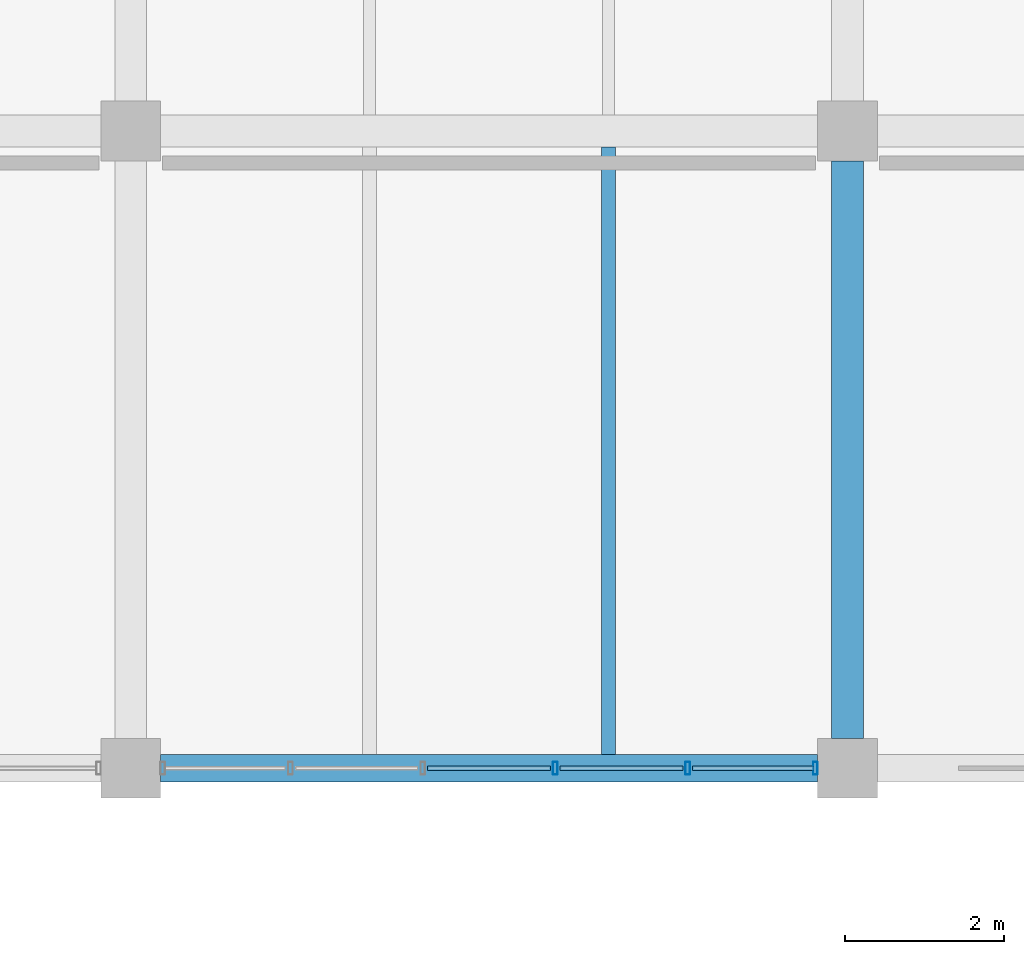
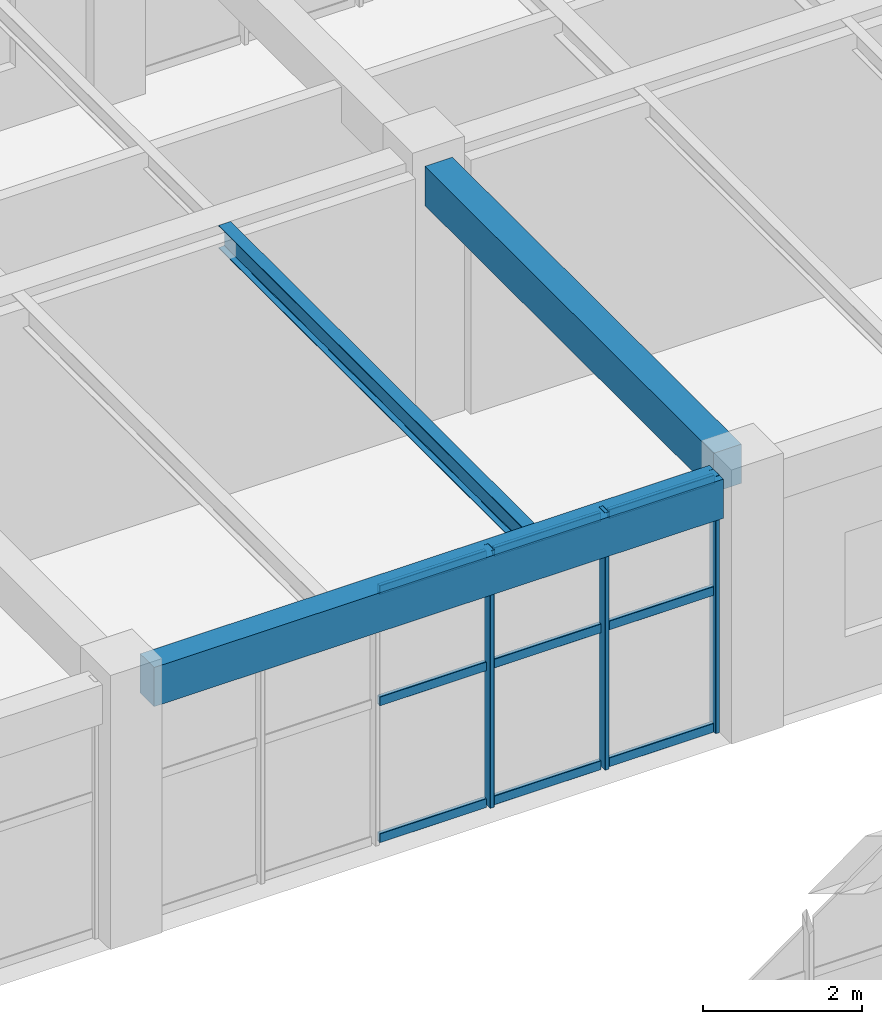
# One storey, part 71 of 148: 12 members, 3 beams, 1 element without a shape of its own.
"""IFC4 building model written with IfcOpenShell, lengths in metres."""

import ifcopenshell
import ifcopenshell.guid

model = None  # the IFC model being written
_history = None  # IfcOwnerHistory: only IFC2X3 demands one
_inside = {}  # id of a spatial element -> (the spatial element, [elements in it])
_under = {}  # id of a project, library or spatial element -> (it, [spatial elements below it])
_declared = {}  # id of a project -> (the project, [libraries it declares])
_typed = {}  # id of a type object -> (the type object, [elements of that type])
_made_of = {}  # id of a material, layer set ... -> (it, [elements and type objects made of it])


def new_model(schema):
    """Start an empty IFC model of exactly this schema.

    Asked for "IFC4X3", IfcOpenShell would pick the latest addendum, in which some entities
    have other attributes; the version numbers below select the first issue.
    IFC2X3 requires an IfcOwnerHistory on every rooted entity: one is made here for all.
    """
    global model, _history
    if schema == "IFC4X3":
        model = ifcopenshell.file(schema_version=(4, 3, 0, 0))
    else:
        model = ifcopenshell.file(schema=schema)
    _inside.clear()
    _under.clear()
    _declared.clear()
    _typed.clear()
    _made_of.clear()
    _history = None
    if model.schema == "IFC2X3":
        org = make("IfcOrganization", Name="unknown")
        user = make(
            "IfcPersonAndOrganization",
            ThePerson=make("IfcPerson", FamilyName="unknown"),
            TheOrganization=org,
        )
        app = make(
            "IfcApplication",
            ApplicationDeveloper=org,
            Version="unknown",
            ApplicationFullName="unknown",
            ApplicationIdentifier="unknown",
        )
        _history = make(
            "IfcOwnerHistory",
            OwningUser=user,
            OwningApplication=app,
            ChangeAction="ADDED",
            CreationDate=0,
        )
    return model


def make(cls, **values):
    """One entity of the class cls with the attributes given. An attribute that is None is left unset."""
    return model.create_entity(
        cls, **{name: value for name, value in values.items() if value is not None}
    )


def rooted(cls, **values):
    """An entity with a GlobalId (a new one), such as an element, a storey or a relation."""
    return make(cls, GlobalId=ifcopenshell.guid.new(), OwnerHistory=_history, **values)


def si_unit(unit_type, name, prefix=None):
    """IfcSIUnit, for example si_unit("LENGTHUNIT", "METRE", prefix="MILLI")."""
    return make("IfcSIUnit", UnitType=unit_type, Prefix=prefix, Name=name)


def derived_unit(unit_type, elements):
    """IfcDerivedUnit: a product of units, each with its exponent."""
    return make(
        "IfcDerivedUnit",
        Elements=[
            make("IfcDerivedUnitElement", Unit=unit, Exponent=power)
            for unit, power in elements
        ],
        UnitType=unit_type,
    )


def assignment(units):
    """IfcUnitAssignment: the units of a project."""
    return None if units is None else make("IfcUnitAssignment", Units=units)


def point(xyz):
    """IfcCartesianPoint."""
    return None if xyz is None else make("IfcCartesianPoint", Coordinates=xyz)


def direction(xyz):
    """IfcDirection."""
    return None if xyz is None else make("IfcDirection", DirectionRatios=xyz)


def frame(location, z_axis=None, x_axis=None):
    """IfcAxis2Placement3D, a coordinate frame: its origin and axes. An axis left out is left unset."""
    return make(
        "IfcAxis2Placement3D",
        Location=point(location),
        Axis=direction(z_axis),
        RefDirection=direction(x_axis),
    )


def frame_2d(location, x_axis=None):
    """IfcAxis2Placement2D, a coordinate frame in the plane: its origin and x axis."""
    return make(
        "IfcAxis2Placement2D", Location=point(location), RefDirection=direction(x_axis)
    )


def origin():
    """The frame at (0, 0, 0) with its axes left unset."""
    return frame((0.0, 0.0, 0.0))


def origin_2d():
    """The frame at (0, 0) in the plane with its x axis left unset."""
    return frame_2d((0.0, 0.0))


def place(relative_to, where):
    """IfcLocalPlacement: puts the frame where relative to a parent placement (None: the world)."""
    return make(
        "IfcLocalPlacement", PlacementRelTo=relative_to, RelativePlacement=where
    )


def context(
    kind, dimensions, precision=None, world=None, true_north=None, identifier=None
):
    """IfcGeometricRepresentationContext, for example the 3D "Model" context."""
    return make(
        "IfcGeometricRepresentationContext",
        ContextIdentifier=identifier,
        ContextType=kind,
        CoordinateSpaceDimension=dimensions,
        Precision=precision,
        WorldCoordinateSystem=world,
        TrueNorth=true_north,
    )


def subcontext(parent, identifier, kind, view, scale=None):
    """IfcGeometricRepresentationSubContext, for example "Body" below "Model"."""
    return make(
        "IfcGeometricRepresentationSubContext",
        ContextIdentifier=identifier,
        ContextType=kind,
        ParentContext=parent,
        TargetScale=scale,
        TargetView=view,
    )


def project(units=None, contexts=None):
    """IfcProject with its units and contexts."""
    return rooted(
        "IfcProject",
        Name="project",
        RepresentationContexts=contexts,
        UnitsInContext=assignment(units),
    )


def spatial(cls, under=None, at=None, **own):
    """A site, building, storey or space (cls), placed at a placement, below another one or the project."""
    s = rooted(cls, ObjectPlacement=at, **own)
    if under is not None:
        _under.setdefault(under.id(), (under, []))[1].append(s)
    return s


def profile(cls, at=None, kind="AREA", **sizes):
    """A parametric profile (cls). Its sizes go by their IFC names, for example OverallWidth=200.0."""
    return make(cls, ProfileType=kind, Position=at, **sizes)


def rectangle(**sizes):
    """IfcRectangleProfileDef."""
    return profile("IfcRectangleProfileDef", **sizes)


def hollow_rectangle(**sizes):
    """IfcRectangleHollowProfileDef."""
    return profile("IfcRectangleHollowProfileDef", **sizes)


def i_section(**sizes):
    """IfcIShapeProfileDef."""
    return profile("IfcIShapeProfileDef", **sizes)


def extrude(swept, where, along, depth):
    """IfcExtrudedAreaSolid: the profile swept, set in the frame where, extruded along a direction by depth."""
    return make(
        "IfcExtrudedAreaSolid",
        SweptArea=swept,
        Position=where,
        ExtrudedDirection=direction(along),
        Depth=depth,
    )


def shape(context_of_items, identifier, shape_type, items):
    """IfcShapeRepresentation: the items that make up one representation, for example the "Body"."""
    return make(
        "IfcShapeRepresentation",
        ContextOfItems=context_of_items,
        RepresentationIdentifier=identifier,
        RepresentationType=shape_type,
        Items=items,
    )


def material(Name=None, Category=None):
    """IfcMaterial."""
    return make("IfcMaterial", Name=Name, Category=Category)


def material_profile(
    of_material, cross_section, Name=None, Category=None, Priority=None
):
    """IfcMaterialProfile: a cross section and its material."""
    return make(
        "IfcMaterialProfile",
        Name=Name,
        Material=of_material,
        Profile=cross_section,
        Priority=Priority,
        Category=Category,
    )


def profile_set(profiles, Name=None, composite=None):
    """IfcMaterialProfileSet."""
    return make(
        "IfcMaterialProfileSet",
        Name=Name,
        MaterialProfiles=profiles,
        CompositeProfile=composite,
    )


def made_of(thing, what):
    """Note that an element or type object is made of a material, layer set ...; save() writes the relation."""
    if what is not None:
        _made_of.setdefault(what.id(), (what, []))[1].append(thing)
    return thing


def type_object(cls, material=None, **own):
    """A type object (cls), such as IfcWallType, which elements share."""
    return made_of(rooted(cls, **own), material)


def element(
    cls,
    number,
    at=None,
    inside=None,
    cuts=None,
    type_object=None,
    material=None,
    context=None,
    identifier="Body",
    shape_type=None,
    held_by="IfcProductDefinitionShape",
    body=None,
    shapes=None,
    **own,
):
    """One element of the class cls, such as IfcWall. Its Tag is "e" and its number.

    at: its placement. inside: the storey or other place that contains it. cuts: it is an
    opening in that element (IfcRelVoidsElement). A single representation is given by context,
    identifier, shape_type and body (its items); several are given by shapes. held_by: the class
    of the entity that holds the representations. save() writes the other relations.
    """
    e = rooted(cls, Tag="e%d" % number, ObjectPlacement=at, **own)
    if body is not None:
        shapes = [shape(context, identifier, shape_type, body)]
    if shapes is not None:
        e.Representation = make(held_by, Representations=shapes)
    if inside is not None:
        _inside.setdefault(inside.id(), (inside, []))[1].append(e)
    if cuts is not None:
        rooted(
            "IfcRelVoidsElement", RelatingBuildingElement=cuts, RelatedOpeningElement=e
        )
    if type_object is not None:
        _typed.setdefault(type_object.id(), (type_object, []))[1].append(e)
    return made_of(e, material)


def aggregate(whole, parts):
    """IfcRelAggregates: a whole, such as a stair, and the parts it consists of."""
    return rooted("IfcRelAggregates", RelatingObject=whole, RelatedObjects=parts)


def save(model, path):
    """Write the relations noted so far, then the file.

    IfcRelAggregates (storeys below a building ...), IfcRelContainedInSpatialStructure (elements
    in a storey), IfcRelDefinesByType, IfcRelAssociatesMaterial and IfcRelDeclares: one each for
    every whole, place, type object, material and project.
    """
    for whole, parts in _under.values():
        aggregate(whole, parts)
    for where, things in _inside.values():
        rooted(
            "IfcRelContainedInSpatialStructure",
            RelatedElements=things,
            RelatingStructure=where,
        )
    for kind, things in _typed.values():
        rooted("IfcRelDefinesByType", RelatedObjects=things, RelatingType=kind)
    for what, things in _made_of.values():
        rooted("IfcRelAssociatesMaterial", RelatedObjects=things, RelatingMaterial=what)
    for by, libraries in _declared.values():
        rooted("IfcRelDeclares", RelatingContext=by, RelatedDefinitions=libraries)
    model.write(path)


model = new_model("IFC4")

# Units and contexts
model_context = context("Model", 3, precision=1e-05, world=origin(), true_north=direction((0.0, 1.0)))
body_context = subcontext(model_context, "Body", "Model", "MODEL_VIEW")
ifc_project = project(units=[si_unit("LENGTHUNIT", "METRE"), si_unit("AREAUNIT", "SQUARE_METRE"), si_unit("VOLUMEUNIT", "CUBIC_METRE"), si_unit("PLANEANGLEUNIT", "RADIAN"), si_unit("MASSUNIT", "GRAM", prefix="KILO"), derived_unit("THERMALTRANSMITTANCEUNIT", [(si_unit("MASSUNIT", "GRAM", prefix="KILO"), 1), (si_unit("TIMEUNIT", "SECOND"), -3), (si_unit("THERMODYNAMICTEMPERATUREUNIT", "KELVIN"), -1)])], contexts=[model_context])

# Site, building, storey
site_placement = place(None, origin())
site = spatial("IfcSite", under=ifc_project, at=site_placement, CompositionType="ELEMENT")
building_placement = place(site_placement, origin())
building = spatial("IfcBuilding", under=site, at=building_placement, Name="Zhenchuan Archway Interchange", CompositionType="ELEMENT")
storey_placement = place(building_placement, frame((0.0, 0.0, 10.199951171875)))
storey = spatial("IfcBuildingStorey", under=building, at=storey_placement, Name="L02", CompositionType="ELEMENT", Elevation=10.199951171875)

# Beam
ifc_material_1 = material(Name="Concrete C40", Category="concrete")
ifc_material_profile_1 = material_profile(ifc_material_1, rectangle(XDim=0.39990234375, YDim=0.60009765625, at=origin_2d()), Name="RC 400x600")
ifc_profile_set_1 = profile_set([ifc_material_profile_1], Name="Concrete C40")
beam_type_1 = type_object("IfcBeamType", Name="BM_RC_400x600", PredefinedType="BEAM", material=ifc_profile_set_1)
beam_1_placement = place(storey_placement, frame((45.0, 96.375, 3.64013671875), z_axis=(0.0, 1.0, 0.0), x_axis=(-1.0, 0.0, 0.0)))
element("IfcBeam", 1, at=beam_1_placement, inside=storey, type_object=beam_type_1, Name="Beam 6:N-O (L02)", PredefinedType="BEAM", context=body_context, shape_type="SweptSolid", body=[
    extrude(rectangle(XDim=0.39990234375, YDim=0.60009765625, at=origin_2d()), origin(), (0.0, 0.0, 1.0), 7.25),
])

# Curtain wall, members
ifc_material_2 = material(Name="Anodised Aluminium", Category="aluminium")
curtain_wall_type = type_object("IfcCurtainWallType", Name="CW_UNIT_3", PredefinedType="NOTDEFINED", material=ifc_material_2)
curtain_wall_placement = place(storey_placement, origin())
curtain_wall = element("IfcCurtainWall", 2, at=curtain_wall_placement, inside=storey, type_object=curtain_wall_type, Name="Unitised curtain wall CW:L02:134", PredefinedType="NOTDEFINED")
ifc_material_profile_2 = material_profile(ifc_material_2, hollow_rectangle(XDim=0.06005859375, YDim=0.159912109375, WallThickness=0.00390625, InnerFilletRadius=0.00390625, OuterFilletRadius=0.008056640625, at=origin_2d()), Name="ALU 160x60x4")
ifc_profile_set_2 = profile_set([ifc_material_profile_2], Name="Anodised Aluminium")
member_type_1 = type_object("IfcMemberType", Name="CW_MUL_150", PredefinedType="MULLION", material=ifc_profile_set_2)
member_1_placement = place(storey_placement, frame((44.596923828125, 96.0, 0.0), z_axis=(0.0, 0.0, 1.0), x_axis=(1.0, 0.0, 0.0)))
member_1 = element("IfcMember", 3, at=member_1_placement, type_object=member_type_1, Name="CW:L02:134 mullion 0", PredefinedType="MULLION", context=body_context, shape_type="SweptSolid", body=[
    extrude(hollow_rectangle(XDim=0.06005859375, YDim=0.159912109375, WallThickness=0.00390625, InnerFilletRadius=0.00390625, OuterFilletRadius=0.008056640625, at=origin_2d()), origin(), (0.0, 0.0, 1.0), 3.93994140625),
])
member_2_placement = place(storey_placement, frame((42.994140625, 96.0, 0.0), z_axis=(0.0, 0.0, 1.0), x_axis=(1.0, 0.0, 0.0)))
member_2 = element("IfcMember", 4, at=member_2_placement, type_object=member_type_1, Name="CW:L02:134 mullion 1", PredefinedType="MULLION", context=body_context, shape_type="SweptSolid", body=[
    extrude(hollow_rectangle(XDim=0.06005859375, YDim=0.159912109375, WallThickness=0.00390625, InnerFilletRadius=0.00390625, OuterFilletRadius=0.008056640625, at=origin_2d()), origin(), (0.0, 0.0, 1.0), 3.93994140625),
])
member_3_placement = place(storey_placement, frame((41.331298828125, 96.0, 0.0), z_axis=(0.0, 0.0, 1.0), x_axis=(1.0, 0.0, 0.0)))
member_3 = element("IfcMember", 5, at=member_3_placement, type_object=member_type_1, Name="CW:L02:134 mullion 2", PredefinedType="MULLION", context=body_context, shape_type="SweptSolid", body=[
    extrude(hollow_rectangle(XDim=0.06005859375, YDim=0.159912109375, WallThickness=0.00390625, InnerFilletRadius=0.00390625, OuterFilletRadius=0.008056640625, at=origin_2d()), origin(), (0.0, 0.0, 1.0), 3.93994140625),
])
ifc_material_profile_3 = material_profile(ifc_material_2, hollow_rectangle(XDim=0.06005859375, YDim=0.139892578125, WallThickness=0.00341796875, InnerFilletRadius=0.00341796875, OuterFilletRadius=0.007080078125, at=origin_2d()), Name="ALU 140x60x3.5")
ifc_profile_set_3 = profile_set([ifc_material_profile_3], Name="Anodised Aluminium")
member_type_2 = type_object("IfcMemberType", Name="CW_TRN_140", PredefinedType="USERDEFINED", material=ifc_profile_set_3)
member_4_placement = place(storey_placement, frame((44.576904296875, 96.0, 0.06005859375), z_axis=(-1.0, 0.0, 0.0), x_axis=(0.0, -1.0, 0.0)))
member_4 = element("IfcMember", 6, at=member_4_placement, type_object=member_type_2, Name="CW:L02:134 transom 0-1", ObjectType="TRANSOM", PredefinedType="USERDEFINED", context=body_context, shape_type="SweptSolid", body=[
    extrude(hollow_rectangle(XDim=0.06005859375, YDim=0.139892578125, WallThickness=0.00341796875, InnerFilletRadius=0.00341796875, OuterFilletRadius=0.007080078125, at=origin_2d()), origin(), (0.0, 0.0, 1.0), 1.522705078125),
])
member_5_placement = place(storey_placement, frame((44.576904296875, 96.0, 2.156005859375), z_axis=(-1.0, 0.0, 0.0), x_axis=(0.0, -1.0, 0.0)))
member_5 = element("IfcMember", 7, at=member_5_placement, type_object=member_type_2, Name="CW:L02:134 transom 0-2", ObjectType="TRANSOM", PredefinedType="USERDEFINED", context=body_context, shape_type="SweptSolid", body=[
    extrude(hollow_rectangle(XDim=0.06005859375, YDim=0.139892578125, WallThickness=0.00341796875, InnerFilletRadius=0.00341796875, OuterFilletRadius=0.007080078125, at=origin_2d()), origin(), (0.0, 0.0, 1.0), 1.522705078125),
])
member_6_placement = place(storey_placement, frame((44.576904296875, 96.0, 3.860107421875), z_axis=(-1.0, 0.0, 0.0), x_axis=(0.0, -1.0, 0.0)))
member_6 = element("IfcMember", 8, at=member_6_placement, type_object=member_type_2, Name="CW:L02:134 transom 0-3", ObjectType="TRANSOM", PredefinedType="USERDEFINED", context=body_context, shape_type="SweptSolid", body=[
    extrude(hollow_rectangle(XDim=0.06005859375, YDim=0.139892578125, WallThickness=0.00341796875, InnerFilletRadius=0.00341796875, OuterFilletRadius=0.007080078125, at=origin_2d()), origin(), (0.0, 0.0, 1.0), 1.522705078125),
])
member_7_placement = place(storey_placement, frame((42.93408203125, 96.0, 0.06005859375), z_axis=(-1.0, 0.0, 0.0), x_axis=(0.0, -1.0, 0.0)))
member_7 = element("IfcMember", 9, at=member_7_placement, type_object=member_type_2, Name="CW:L02:134 transom 1-1", ObjectType="TRANSOM", PredefinedType="USERDEFINED", context=body_context, shape_type="SweptSolid", body=[
    extrude(hollow_rectangle(XDim=0.06005859375, YDim=0.139892578125, WallThickness=0.00341796875, InnerFilletRadius=0.00341796875, OuterFilletRadius=0.007080078125, at=origin_2d()), origin(), (0.0, 0.0, 1.0), 1.542724609375),
])
member_8_placement = place(storey_placement, frame((42.93408203125, 96.0, 2.156005859375), z_axis=(-1.0, 0.0, 0.0), x_axis=(0.0, -1.0, 0.0)))
member_8 = element("IfcMember", 10, at=member_8_placement, type_object=member_type_2, Name="CW:L02:134 transom 1-2", ObjectType="TRANSOM", PredefinedType="USERDEFINED", context=body_context, shape_type="SweptSolid", body=[
    extrude(hollow_rectangle(XDim=0.06005859375, YDim=0.139892578125, WallThickness=0.00341796875, InnerFilletRadius=0.00341796875, OuterFilletRadius=0.007080078125, at=origin_2d()), origin(), (0.0, 0.0, 1.0), 1.542724609375),
])
member_9_placement = place(storey_placement, frame((42.93408203125, 96.0, 3.860107421875), z_axis=(-1.0, 0.0, 0.0), x_axis=(0.0, -1.0, 0.0)))
member_9 = element("IfcMember", 11, at=member_9_placement, type_object=member_type_2, Name="CW:L02:134 transom 1-3", ObjectType="TRANSOM", PredefinedType="USERDEFINED", context=body_context, shape_type="SweptSolid", body=[
    extrude(hollow_rectangle(XDim=0.06005859375, YDim=0.139892578125, WallThickness=0.00341796875, InnerFilletRadius=0.00341796875, OuterFilletRadius=0.007080078125, at=origin_2d()), origin(), (0.0, 0.0, 1.0), 1.542724609375),
])
member_10_placement = place(storey_placement, frame((41.271484375, 96.0, 0.06005859375), z_axis=(-1.0, 0.0, 0.0), x_axis=(0.0, -1.0, 0.0)))
member_10 = element("IfcMember", 12, at=member_10_placement, type_object=member_type_2, Name="CW:L02:134 transom 2-1", ObjectType="TRANSOM", PredefinedType="USERDEFINED", context=body_context, shape_type="SweptSolid", body=[
    extrude(hollow_rectangle(XDim=0.06005859375, YDim=0.139892578125, WallThickness=0.00341796875, InnerFilletRadius=0.00341796875, OuterFilletRadius=0.007080078125, at=origin_2d()), origin(), (0.0, 0.0, 1.0), 1.54296875),
])
member_11_placement = place(storey_placement, frame((41.271484375, 96.0, 2.156005859375), z_axis=(-1.0, 0.0, 0.0), x_axis=(0.0, -1.0, 0.0)))
member_11 = element("IfcMember", 13, at=member_11_placement, type_object=member_type_2, Name="CW:L02:134 transom 2-2", ObjectType="TRANSOM", PredefinedType="USERDEFINED", context=body_context, shape_type="SweptSolid", body=[
    extrude(hollow_rectangle(XDim=0.06005859375, YDim=0.139892578125, WallThickness=0.00341796875, InnerFilletRadius=0.00341796875, OuterFilletRadius=0.007080078125, at=origin_2d()), origin(), (0.0, 0.0, 1.0), 1.54296875),
])
member_12_placement = place(storey_placement, frame((41.271484375, 96.0, 3.860107421875), z_axis=(-1.0, 0.0, 0.0), x_axis=(0.0, -1.0, 0.0)))
member_12 = element("IfcMember", 14, at=member_12_placement, type_object=member_type_2, Name="CW:L02:134 transom 2-3", ObjectType="TRANSOM", PredefinedType="USERDEFINED", context=body_context, shape_type="SweptSolid", body=[
    extrude(hollow_rectangle(XDim=0.06005859375, YDim=0.139892578125, WallThickness=0.00341796875, InnerFilletRadius=0.00341796875, OuterFilletRadius=0.007080078125, at=origin_2d()), origin(), (0.0, 0.0, 1.0), 1.54296875),
])
aggregate(curtain_wall, [member_1, member_2, member_3, member_4, member_5, member_6, member_7, member_8, member_9, member_10, member_11, member_12])

# Beams
ifc_material_3 = material(Name="Steel Q355", Category="steel")
ifc_material_profile_4 = material_profile(ifc_material_3, i_section(OverallWidth=0.175048828125, OverallDepth=0.35009765625, WebThickness=0.007080078125, FlangeThickness=0.010986328125, FilletRadius=0.013916015625, at=origin_2d()), Name="HN 350x175")
ifc_profile_set_4 = profile_set([ifc_material_profile_4], Name="Steel Q355")
beam_type_2 = type_object("IfcBeamType", Name="JST_STL_HN350", PredefinedType="JOIST", material=ifc_profile_set_4)
beam_2_placement = place(storey_placement, frame((42.0, 96.175048828125, 3.76513671875), z_axis=(0.0, 1.0, 0.0), x_axis=(-1.0, 0.0, 0.0)))
element("IfcBeam", 15, at=beam_2_placement, inside=storey, type_object=beam_type_2, Name="Secondary joist 5-6/N-O #2 (L02)", PredefinedType="JOIST", context=body_context, shape_type="SweptSolid", body=[
    extrude(i_section(OverallWidth=0.175048828125, OverallDepth=0.35009765625, WebThickness=0.007080078125, FlangeThickness=0.010986328125, FilletRadius=0.013916015625, at=origin_2d()), origin(), (0.0, 0.0, 1.0), 7.625),
])
ifc_material_profile_5 = material_profile(ifc_material_1, rectangle(XDim=0.35009765625, YDim=0.60009765625, at=origin_2d()), Name="RC 350x600")
ifc_profile_set_5 = profile_set([ifc_material_profile_5], Name="Concrete C40")
beam_type_3 = type_object("IfcBeamType", Name="SP_RC_350x600", PredefinedType="SPANDREL", material=ifc_profile_set_5)
beam_3_placement = place(storey_placement, frame((36.375, 96.0, 3.64013671875), z_axis=(1.0, 0.0, 0.0), x_axis=(0.0, 1.0, 0.0)))
element("IfcBeam", 16, at=beam_3_placement, inside=storey, type_object=beam_type_3, Name="Beam N:5-6 (L02)", PredefinedType="SPANDREL", context=body_context, shape_type="SweptSolid", body=[
    extrude(rectangle(XDim=0.35009765625, YDim=0.60009765625, at=origin_2d()), origin(), (0.0, 0.0, 1.0), 8.25),
])

save(model, "model.ifc")
